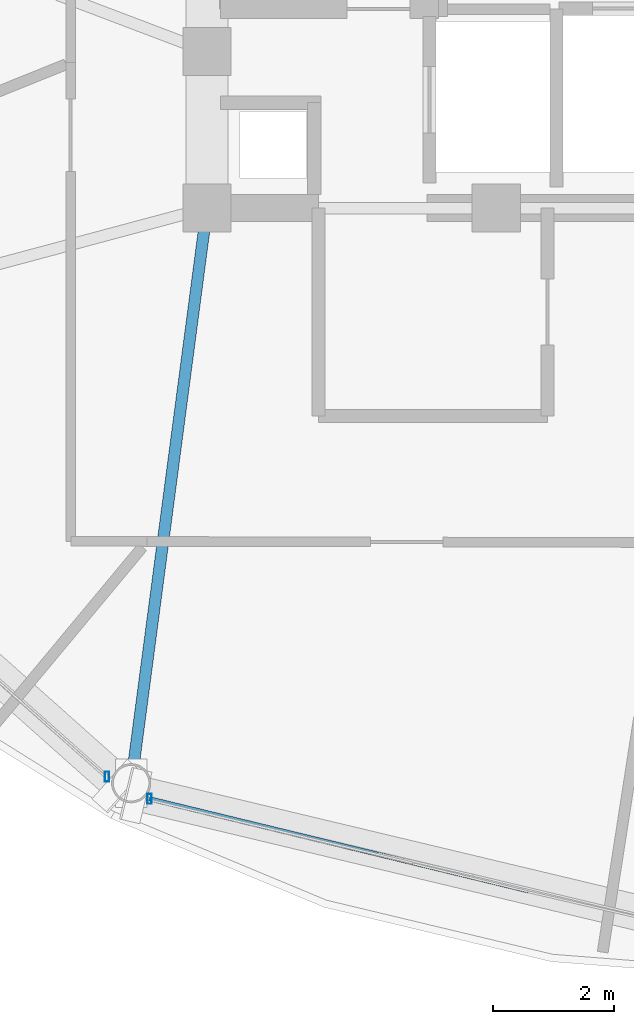
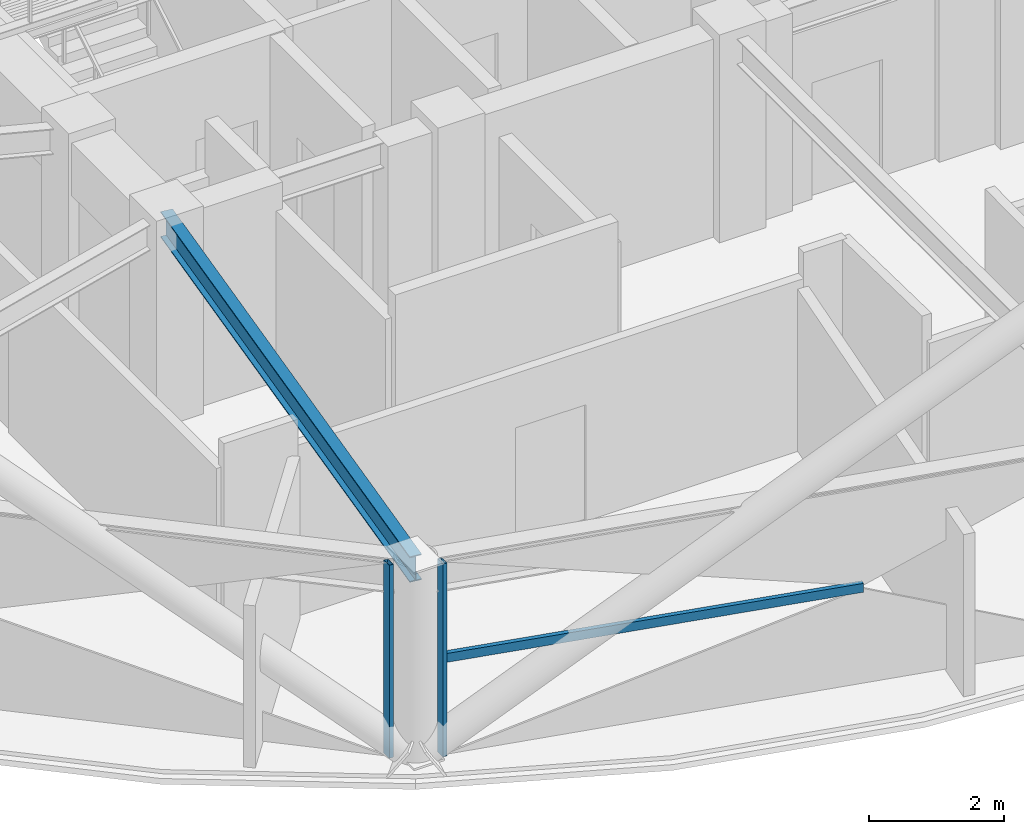
# One storey, part 2 of 28: 3 members, 1 beam, 2 elements without a shape of their own.
"""IFC4 building model written with IfcOpenShell, lengths in metres."""

from ifc_helpers import new_model, si_unit, direction, frame, origin, origin_2d, place, context, subcontext, project, spatial, hollow_rectangle, i_section, extrude, material, layer, layer_set, material_profile, profile_set, type_object, element, aggregate, save


model = new_model("IFC4")

# Units and contexts
model_context = context("Model", 3, precision=1e-05, world=origin(), true_north=direction((0.0, 1.0)))
body_context = subcontext(model_context, "Body", "Model", "MODEL_VIEW")
ifc_project = project(units=[si_unit("LENGTHUNIT", "METRE"), si_unit("AREAUNIT", "SQUARE_METRE"), si_unit("VOLUMEUNIT", "CUBIC_METRE"), si_unit("PLANEANGLEUNIT", "RADIAN"), si_unit("MASSUNIT", "GRAM", prefix="KILO")], contexts=[model_context])

# Site, building, storey
site_placement = place(None, origin())
site = spatial("IfcSite", under=ifc_project, at=site_placement, CompositionType="ELEMENT")
building_placement = place(site_placement, origin())
building = spatial("IfcBuilding", under=site, at=building_placement, Name="Vantalir Tower", CompositionType="ELEMENT")
storey_placement = place(building_placement, frame((0.0, 0.0, 242.39990234375)))
storey = spatial("IfcBuildingStorey", under=building, at=storey_placement, Name="L61", CompositionType="ELEMENT", Elevation=242.39990234375)

# Beam
ifc_material_1 = material(Name="Steel S355", Category="steel")
ifc_material_profile_1 = material_profile(ifc_material_1, i_section(OverallWidth=0.19189453125, OverallDepth=0.462890625, WebThickness=0.010498046875, FlangeThickness=0.017578125, at=origin_2d()), Name="Steel S355")
ifc_profile_set_1 = profile_set([ifc_material_profile_1], Name="Steel S355")
beam_type = type_object("IfcBeamType", Name="BM-RB-457x191", PredefinedType="BEAM", material=ifc_profile_set_1)
beam_placement = place(storey_placement, frame((20.64111328125, 8.257080078125, 3.338134765625), z_axis=(0.130774684438, 0.991412115071, 0.0), x_axis=(-0.991412115071, 0.130774684438, 0.0)))
element("IfcBeam", 1, at=beam_placement, inside=storey, type_object=beam_type, Name="L61 Radial Floor Beam 09", PredefinedType="BEAM", context=body_context, shape_type="SweptSolid", body=[
    extrude(i_section(OverallWidth=0.19189453125, OverallDepth=0.462890625, WebThickness=0.010498046875, FlangeThickness=0.017578125, at=origin_2d()), origin(), (0.0, 0.0, 1.0), 9.625732421875),
])

# Curtain wall, member
ifc_material_2 = material(Name="Champagne-silver PVDF aluminium and double-silver Low-E glass", Category="aluminium")
ifc_layer = layer(ifc_material_2, 0.2099609375)
ifc_layer_set = layer_set([ifc_layer], Name="Champagne-silver PVDF aluminium and double-silver Low-E glass")
curtain_wall_type = type_object("IfcCurtainWallType", Name="CW-DIAMOND-Z3", PredefinedType="USERDEFINED", material=ifc_layer_set)
curtain_wall_1_placement = place(storey_placement, origin())
curtain_wall_1 = element("IfcCurtainWall", 2, at=curtain_wall_1_placement, inside=storey, type_object=curtain_wall_type, Name="L61 Quilted Pyramid-Diamond Curtain Wall S08", ObjectType="UNITISED CURTAIN WALL", PredefinedType="USERDEFINED")
ifc_material_3 = material(Name="Champagne-silver PVDF aluminium 6063-T6", Category="aluminium")
ifc_material_profile_2 = material_profile(ifc_material_3, hollow_rectangle(XDim=0.070068359375, YDim=0.1650390625, WallThickness=0.00390625, at=origin_2d()), Name="Champagne-silver PVDF aluminium 6063-T6")
ifc_profile_set_2 = profile_set([ifc_material_profile_2], Name="Champagne-silver PVDF aluminium 6063-T6")
member_type_1 = type_object("IfcMemberType", Name="CWM-165x70", PredefinedType="MULLION", material=ifc_profile_set_2)
member_1_placement = place(storey_placement, frame((20.239990234375, 8.365966796875, 0.045166015625), z_axis=(0.0, 0.0, 1.0), x_axis=(1.0, 0.0, 0.0)))
member_1 = element("IfcMember", 3, at=member_1_placement, type_object=member_type_1, Name="CW-L61-S08 Mullion 2", PredefinedType="MULLION", context=body_context, shape_type="SweptSolid", body=[
    extrude(hollow_rectangle(XDim=0.070068359375, YDim=0.1650390625, WallThickness=0.00390625, at=origin_2d()), origin(), (0.0, 0.0, 1.0), 3.47998046875),
])
aggregate(curtain_wall_1, [member_1])

# Curtain wall, members
curtain_wall_2_placement = place(storey_placement, origin())
curtain_wall_2 = element("IfcCurtainWall", 4, at=curtain_wall_2_placement, inside=storey, type_object=curtain_wall_type, Name="L61 Quilted Pyramid-Diamond Curtain Wall S09", ObjectType="UNITISED CURTAIN WALL", PredefinedType="USERDEFINED")
member_2_placement = place(storey_placement, frame((20.945068359375, 7.998046875, 0.045166015625), z_axis=(0.0, 0.0, 1.0), x_axis=(1.0, 0.0, 0.0)))
member_2 = element("IfcMember", 5, at=member_2_placement, type_object=member_type_1, Name="CW-L61-S09 Mullion 1", PredefinedType="MULLION", context=body_context, shape_type="SweptSolid", body=[
    extrude(hollow_rectangle(XDim=0.070068359375, YDim=0.1650390625, WallThickness=0.00390625, at=origin_2d()), origin(), (0.0, 0.0, 1.0), 3.47998046875),
])
ifc_material_profile_3 = material_profile(ifc_material_3, hollow_rectangle(XDim=0.074951171875, YDim=0.159912109375, WallThickness=0.00390625, at=origin_2d()), Name="Champagne-silver PVDF aluminium 6063-T6")
ifc_profile_set_3 = profile_set([ifc_material_profile_3], Name="Champagne-silver PVDF aluminium 6063-T6")
member_type_2 = type_object("IfcMemberType", Name="CWT-160x75", PredefinedType="USERDEFINED", material=ifc_profile_set_3)
member_3_placement = place(storey_placement, frame((20.945068359375, 7.998046875, 1.78515625), z_axis=(0.971779150142, -0.235892524998, 0.0), x_axis=(0.235892524998, 0.971779150142, 0.0)))
member_3 = element("IfcMember", 6, at=member_3_placement, type_object=member_type_2, Name="CW-L61-S09 Pyramid Fold Ridge Transom", ObjectType="TRANSOM", PredefinedType="USERDEFINED", context=body_context, shape_type="SweptSolid", body=[
    extrude(hollow_rectangle(XDim=0.074951171875, YDim=0.159912109375, WallThickness=0.00390625, at=origin_2d()), origin(), (0.0, 0.0, 1.0), 6.4736328125),
])
aggregate(curtain_wall_2, [member_2, member_3])

save(model, "model.ifc")
